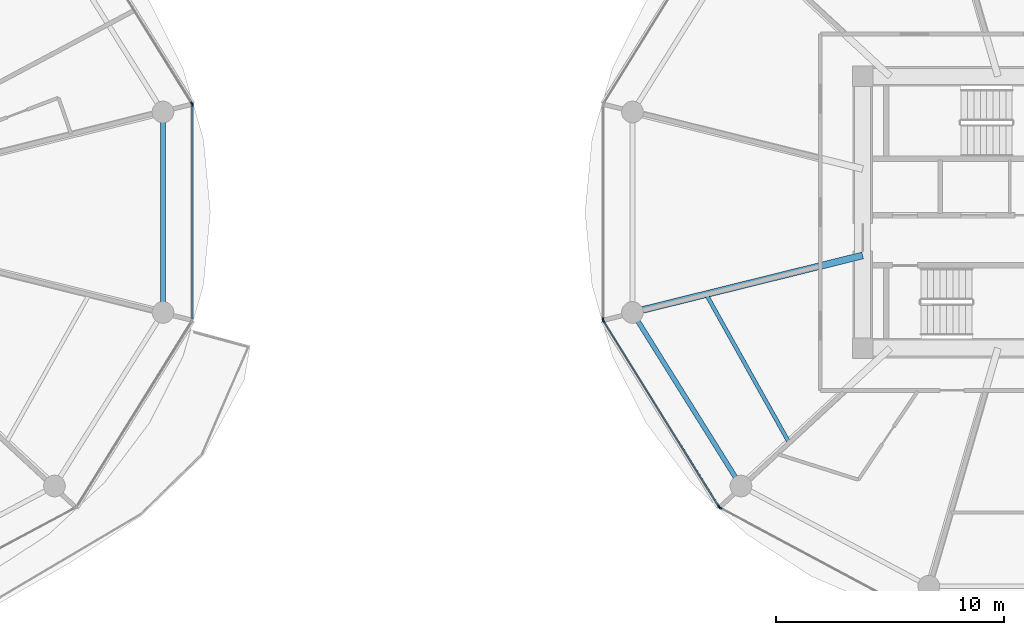
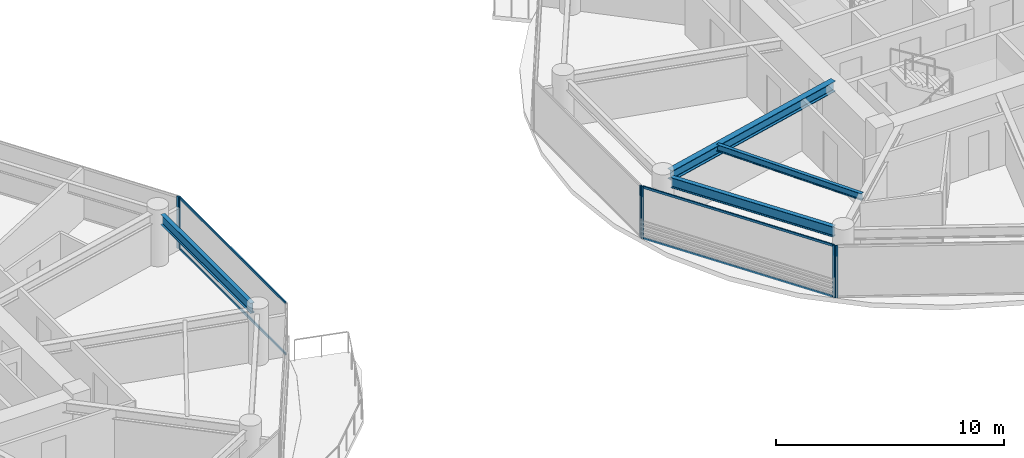
# One storey, part 6 of 26: 10 members, 4 beams, 5 elements without a shape of their own.
"""IFC4 building model written with IfcOpenShell, lengths in metres."""

from ifc_helpers import new_model, si_unit, direction, frame, origin, origin_2d, place, context, subcontext, project, spatial, rectangle, i_section, extrude, source, transform, mapped, material, layer, layer_set, material_profile, profile_set, type_object, type_shapes, element, aggregate, save


model = new_model("IFC4")

# Units and contexts
model_context = context("Model", 3, precision=1e-05, world=origin(), true_north=direction((0.0, 1.0)))
body_context = subcontext(model_context, "Body", "Model", "MODEL_VIEW")
ifc_project = project(units=[si_unit("LENGTHUNIT", "METRE"), si_unit("AREAUNIT", "SQUARE_METRE"), si_unit("VOLUMEUNIT", "CUBIC_METRE"), si_unit("PLANEANGLEUNIT", "RADIAN"), si_unit("MASSUNIT", "GRAM", prefix="KILO")], contexts=[model_context])

# Site, building, storey
site_placement = place(None, origin())
site = spatial("IfcSite", under=ifc_project, at=site_placement, CompositionType="ELEMENT")
building_placement = place(site_placement, origin())
building = spatial("IfcBuilding", under=site, at=building_placement, Name="Norrkilde Senior Care Towers", CompositionType="ELEMENT")
storey_placement = place(building_placement, frame((0.0, 0.0, 49.050048828125)))
storey = spatial("IfcBuildingStorey", under=building, at=storey_placement, Name="L14", CompositionType="ELEMENT", Elevation=49.050048828125)

# Beams
ifc_material_1 = material(Name="Steel S355", Category="steel")
ifc_material_profile_1 = material_profile(ifc_material_1, i_section(OverallWidth=0.2099609375, OverallDepth=0.550048828125, WebThickness=0.010986328125, FlangeThickness=0.01708984375, FilletRadius=0.02392578125, at=origin_2d()), Name="IPE 550")
ifc_profile_set_1 = profile_set([ifc_material_profile_1], Name="Steel S355")
beam_type_1 = type_object("IfcBeamType", Name="Perimeter Ring Spandrel Z1 IPE550", PredefinedType="SPANDREL", material=ifc_profile_set_1)
shared_shape_1 = source(origin(), body_context, "Body", "SweptSolid", [
    extrude(i_section(OverallWidth=0.2099609375, OverallDepth=0.550048828125, WebThickness=0.010986328125, FlangeThickness=0.01708984375, FilletRadius=0.02392578125, at=origin_2d()), origin(), (0.0, 0.0, 1.0), 8.090576171875),
])
beam_1_placement = place(storey_placement, frame((10.505859375, -4.755859375, 2.514892578125), z_axis=(0.530004364821, -0.84799491347, 0.0), x_axis=(0.84799491347, 0.530004364821, 0.0)))
element("IfcBeam", 1, at=beam_1_placement, inside=storey, type_object=beam_type_1, Name="L14 Drum E Perimeter Spandrel 07", PredefinedType="SPANDREL", context=body_context, shape_type="MappedRepresentation", body=[
    mapped(shared_shape_1, transform((0.0, 0.0, 0.0), x_axis=(1.0, 0.0, 0.0), y_axis=(0.0, 1.0, 0.0), z_axis=(0.0, 0.0, 1.0), scale=1.0)),
])
ifc_material_profile_2 = material_profile(ifc_material_1, i_section(OverallWidth=0.300048828125, OverallDepth=0.550048828125, WebThickness=0.014892578125, FlangeThickness=0.029052734375, FilletRadius=0.027099609375, at=origin_2d()), Name="HEB 550")
ifc_profile_set_2 = profile_set([ifc_material_profile_2], Name="Steel S355")
beam_type_2 = type_object("IfcBeamType", Name="Radial Floor Beam Z1 HEB550", PredefinedType="BEAM", material=ifc_profile_set_2)
shared_shape_2 = source(origin(), body_context, "Body", "SweptSolid", [
    extrude(i_section(OverallWidth=0.300048828125, OverallDepth=0.550048828125, WebThickness=0.014892578125, FlangeThickness=0.029052734375, FilletRadius=0.027099609375, at=origin_2d()), origin(), (0.0, 0.0, 1.0), 9.94384765625),
])
type_shapes(beam_type_2, [shared_shape_2])
beam_2_placement = place(storey_placement, frame((20.35009765625, -1.893310546875, 2.514892578125), z_axis=(-0.970707425182, -0.240264634718, 0.0), x_axis=(0.240264634718, -0.970707425182, 0.0)))
element("IfcBeam", 2, at=beam_2_placement, inside=storey, type_object=beam_type_2, Name="L14 Drum E Radial Floor Beam 07", PredefinedType="BEAM", context=body_context, shape_type="MappedRepresentation", body=[
    mapped(shared_shape_2, transform((0.0, 0.0, 0.0), x_axis=(1.0, 0.0, 0.0), y_axis=(0.0, 1.0, 0.0), z_axis=(0.0, 0.0, 1.0), scale=1.0)),
])
shared_shape_3 = source(origin(), body_context, "Body", "SweptSolid", [
    extrude(i_section(OverallWidth=0.2099609375, OverallDepth=0.550048828125, WebThickness=0.010986328125, FlangeThickness=0.01708984375, FilletRadius=0.02392578125, at=origin_2d()), origin(), (0.0, 0.0, 1.0), 7.90380859375),
])
type_shapes(beam_type_1, [shared_shape_1, shared_shape_3])
beam_3_placement = place(storey_placement, frame((-10.275146484375, -3.951904296875, 2.514892578125), z_axis=(0.0, 1.0, 0.0), x_axis=(-1.0, 0.0, 0.0)))
element("IfcBeam", 3, at=beam_3_placement, inside=storey, type_object=beam_type_1, Name="L14 Drum W Perimeter Spandrel 12", PredefinedType="SPANDREL", context=body_context, shape_type="MappedRepresentation", body=[
    mapped(shared_shape_3, transform((0.0, 0.0, 0.0), x_axis=(1.0, 0.0, 0.0), y_axis=(0.0, 1.0, 0.0), z_axis=(0.0, 0.0, 1.0), scale=1.0)),
])
ifc_material_profile_3 = material_profile(ifc_material_1, i_section(OverallWidth=0.169921875, OverallDepth=0.360107421875, WebThickness=0.008056640625, FlangeThickness=0.0126953125, FilletRadius=0.01806640625, at=origin_2d()), Name="IPE 360")
ifc_profile_set_3 = profile_set([ifc_material_profile_3], Name="Steel S355")
beam_type_3 = type_object("IfcBeamType", Name="Secondary Floor Joist IPE360", PredefinedType="JOIST", material=ifc_profile_set_3)
shared_shape_4 = source(origin(), body_context, "Body", "SweptSolid", [
    extrude(i_section(OverallWidth=0.169921875, OverallDepth=0.360107421875, WebThickness=0.008056640625, FlangeThickness=0.0126953125, FilletRadius=0.01806640625, at=origin_2d()), origin(), (0.0, 0.0, 1.0), 7.40771484375),
])
type_shapes(beam_type_3, [shared_shape_4])
beam_4_placement = place(storey_placement, frame((13.499267578125, -3.589111328125, 2.60986328125), z_axis=(0.488167754092, -0.872749817453, 0.0), x_axis=(0.872749817453, 0.488167754092, 0.0)))
element("IfcBeam", 4, at=beam_4_placement, inside=storey, type_object=beam_type_3, Name="L14 Drum E Secondary Floor Joist 3", PredefinedType="JOIST", context=body_context, shape_type="MappedRepresentation", body=[
    mapped(shared_shape_4, transform((0.0, 0.0, 0.0), x_axis=(1.0, 0.0, 0.0), y_axis=(0.0, 1.0, 0.0), z_axis=(0.0, 0.0, 1.0), scale=1.0)),
])

# Curtain wall, member
ifc_material_2 = material(Name="Triple Low-E Insulated Glazing", Category="glass")
ifc_layer = layer(ifc_material_2, 0.199951171875)
ifc_layer_set = layer_set([ifc_layer], Name="Triple Low-E Insulated Glazing")
curtain_wall_type = type_object("IfcCurtainWallType", Name="CW2 Zone 1 Memory Care Curtain Wall", PredefinedType="NOTDEFINED", material=ifc_layer_set)
curtain_wall_1_placement = place(storey_placement, origin())
curtain_wall_1 = element("IfcCurtainWall", 5, at=curtain_wall_1_placement, inside=storey, type_object=curtain_wall_type, Name="L14 Drum W Curtain Wall 00", PredefinedType="NOTDEFINED")
ifc_material_3 = material(Name="Anodised Aluminium", Category="aluminium")
ifc_material_profile_4 = material_profile(ifc_material_3, rectangle(XDim=0.06494140625, YDim=0.159912109375, at=origin_2d()), Name="ALU MULL 65x160")
ifc_profile_set_4 = profile_set([ifc_material_profile_4], Name="Anodised Aluminium")
member_type_1 = type_object("IfcMemberType", Name="Curtain Wall Mullion Z1-Z2 65x160", PredefinedType="MULLION", material=ifc_profile_set_4)
shared_shape_5 = source(origin(), body_context, "Body", "SweptSolid", [
    extrude(rectangle(XDim=0.06494140625, YDim=0.159912109375, at=origin_2d()), origin(), (0.0, 0.0, 1.0), 2.7900390625),
])
type_shapes(member_type_1, [shared_shape_5])
member_1_placement = place(storey_placement, frame((-9.0078125, 4.7587890625, 0.0), z_axis=(0.0, 0.0, 1.0), x_axis=(0.849305943117, 0.527900951871, 0.0)))
member_1 = element("IfcMember", 6, at=member_1_placement, type_object=member_type_1, Name="CW-2 mullion 2", PredefinedType="MULLION", context=body_context, shape_type="MappedRepresentation", body=[
    mapped(shared_shape_5, transform((0.0, 0.0, 0.0), x_axis=(1.0, 0.0, 0.0), y_axis=(0.0, 1.0, 0.0), z_axis=(0.0, 0.0, 1.0), scale=1.0)),
])
aggregate(curtain_wall_1, [member_1])

curtain_wall_2_placement = place(storey_placement, origin())
curtain_wall_2 = element("IfcCurtainWall", 7, at=curtain_wall_2_placement, inside=storey, type_object=curtain_wall_type, Name="L14 Drum W Curtain Wall 11", PredefinedType="NOTDEFINED")
member_2_placement = place(storey_placement, frame((-8.990478515625, 4.69873046875, 0.0), z_axis=(0.0, 0.0, 1.0), x_axis=(1.0, 0.0, 0.0)))
member_2 = element("IfcMember", 8, at=member_2_placement, type_object=member_type_1, Name="CW-2 mullion 1", PredefinedType="MULLION", context=body_context, shape_type="MappedRepresentation", body=[
    mapped(shared_shape_5, transform((0.0, 0.0, 0.0), x_axis=(1.0, 0.0, 0.0), y_axis=(0.0, 1.0, 0.0), z_axis=(0.0, 0.0, 1.0), scale=1.0)),
])

curtain_wall_3_placement = place(storey_placement, origin())
curtain_wall_3 = element("IfcCurtainWall", 9, at=curtain_wall_3_placement, inside=storey, type_object=curtain_wall_type, Name="L14 Drum E Curtain Wall 05", PredefinedType="NOTDEFINED")
member_3_placement = place(storey_placement, frame((8.990478515625, -4.69873046875, 0.0), z_axis=(0.0, 0.0, 1.0), x_axis=(-1.0, 0.0, 0.0)))
member_3 = element("IfcMember", 10, at=member_3_placement, type_object=member_type_1, Name="CW-2 mullion 1", PredefinedType="MULLION", context=body_context, shape_type="MappedRepresentation", body=[
    mapped(shared_shape_5, transform((0.0, 0.0, 0.0), x_axis=(1.0, 0.0, 0.0), y_axis=(0.0, 1.0, 0.0), z_axis=(0.0, 0.0, 1.0), scale=1.0)),
])
aggregate(curtain_wall_3, [member_3])

# Curtain wall, members
curtain_wall_4_placement = place(storey_placement, origin())
curtain_wall_4 = element("IfcCurtainWall", 11, at=curtain_wall_4_placement, inside=storey, type_object=curtain_wall_type, Name="L14 Drum E Curtain Wall 06", PredefinedType="NOTDEFINED")
member_4_placement = place(storey_placement, frame((14.06689453125, -12.898193359375, 0.0), z_axis=(0.0, 0.0, 1.0), x_axis=(-0.849305943117, -0.527900951871, 0.0)))
member_4 = element("IfcMember", 12, at=member_4_placement, type_object=member_type_1, Name="CW-2 mullion 1", PredefinedType="MULLION", context=body_context, shape_type="MappedRepresentation", body=[
    mapped(shared_shape_5, transform((0.0, 0.0, 0.0), x_axis=(1.0, 0.0, 0.0), y_axis=(0.0, 1.0, 0.0), z_axis=(0.0, 0.0, 1.0), scale=1.0)),
])
member_5_placement = place(storey_placement, frame((9.0078125, -4.7587890625, 0.0), z_axis=(0.0, 0.0, 1.0), x_axis=(-0.849305943117, -0.527900951871, 0.0)))
member_5 = element("IfcMember", 13, at=member_5_placement, type_object=member_type_1, Name="CW-2 mullion 2", PredefinedType="MULLION", context=body_context, shape_type="MappedRepresentation", body=[
    mapped(shared_shape_5, transform((0.0, 0.0, 0.0), x_axis=(1.0, 0.0, 0.0), y_axis=(0.0, 1.0, 0.0), z_axis=(0.0, 0.0, 1.0), scale=1.0)),
])

# Curtain wall, member
curtain_wall_5_placement = place(storey_placement, origin())
curtain_wall_5 = element("IfcCurtainWall", 14, at=curtain_wall_5_placement, inside=storey, type_object=curtain_wall_type, Name="L14 Drum E Curtain Wall 07", PredefinedType="NOTDEFINED")
member_6_placement = place(storey_placement, frame((14.11279296875, -12.941162109375, 0.0), z_axis=(0.0, 0.0, 1.0), x_axis=(-0.472607802456, -0.881272866403, 0.0)))
member_6 = element("IfcMember", 15, at=member_6_placement, type_object=member_type_1, Name="CW-2 mullion 2", PredefinedType="MULLION", context=body_context, shape_type="MappedRepresentation", body=[
    mapped(shared_shape_5, transform((0.0, 0.0, 0.0), x_axis=(1.0, 0.0, 0.0), y_axis=(0.0, 1.0, 0.0), z_axis=(0.0, 0.0, 1.0), scale=1.0)),
])
aggregate(curtain_wall_5, [member_6])

# Member
ifc_material_profile_5 = material_profile(ifc_material_3, rectangle(XDim=0.06005859375, YDim=0.1201171875, at=origin_2d()), Name="ALU TRAN 60x120")
ifc_profile_set_5 = profile_set([ifc_material_profile_5], Name="Anodised Aluminium")
member_type_2 = type_object("IfcMemberType", Name="Curtain Wall Transom Typical 60x120", PredefinedType="USERDEFINED", material=ifc_profile_set_5)
shared_shape_6 = source(origin(), body_context, "Body", "SweptSolid", [
    extrude(rectangle(XDim=0.06005859375, YDim=0.1201171875, at=origin_2d()), origin(), (0.0, 0.0, 1.0), 9.5185546875),
])
member_7_placement = place(storey_placement, frame((14.0498046875, -12.87060546875, 0.030029296875), z_axis=(-0.527901620669, 0.849305527413, 0.0), x_axis=(-0.849305527413, -0.527901620669, 0.0)))
member_7 = element("IfcMember", 16, at=member_7_placement, type_object=member_type_2, Name="CW-2 transom 1.1", ObjectType="TRANSOM", PredefinedType="USERDEFINED", context=body_context, shape_type="MappedRepresentation", body=[
    mapped(shared_shape_6, transform((0.0, 0.0, 0.0), x_axis=(1.0, 0.0, 0.0), y_axis=(0.0, 1.0, 0.0), z_axis=(0.0, 0.0, 1.0), scale=1.0)),
])

member_8_placement = place(storey_placement, frame((14.0498046875, -12.87060546875, 2.760009765625), z_axis=(-0.527901620669, 0.849305527413, 0.0), x_axis=(-0.849305527413, -0.527901620669, 0.0)))
member_8 = element("IfcMember", 17, at=member_8_placement, type_object=member_type_2, Name="CW-2 transom 1.2", ObjectType="TRANSOM", PredefinedType="USERDEFINED", context=body_context, shape_type="MappedRepresentation", body=[
    mapped(shared_shape_6, transform((0.0, 0.0, 0.0), x_axis=(1.0, 0.0, 0.0), y_axis=(0.0, 1.0, 0.0), z_axis=(0.0, 0.0, 1.0), scale=1.0)),
])

aggregate(curtain_wall_4, [member_4, member_5, member_7, member_8])

shared_shape_7 = source(origin(), body_context, "Body", "SweptSolid", [
    extrude(rectangle(XDim=0.06005859375, YDim=0.1201171875, at=origin_2d()), origin(), (0.0, 0.0, 1.0), 9.33251953125),
])
type_shapes(member_type_2, [shared_shape_6, shared_shape_7])
member_9_placement = place(storey_placement, frame((-8.990478515625, 4.666259765625, 0.030029296875), z_axis=(0.0, -1.0, 0.0), x_axis=(1.0, 0.0, 0.0)))
member_9 = element("IfcMember", 18, at=member_9_placement, type_object=member_type_2, Name="CW-2 transom 1.1", ObjectType="TRANSOM", PredefinedType="USERDEFINED", context=body_context, shape_type="MappedRepresentation", body=[
    mapped(shared_shape_7, transform((0.0, 0.0, 0.0), x_axis=(1.0, 0.0, 0.0), y_axis=(0.0, 1.0, 0.0), z_axis=(0.0, 0.0, 1.0), scale=1.0)),
])

member_10_placement = place(storey_placement, frame((-8.990478515625, 4.666259765625, 2.760009765625), z_axis=(0.0, -1.0, 0.0), x_axis=(1.0, 0.0, 0.0)))
member_10 = element("IfcMember", 19, at=member_10_placement, type_object=member_type_2, Name="CW-2 transom 1.2", ObjectType="TRANSOM", PredefinedType="USERDEFINED", context=body_context, shape_type="MappedRepresentation", body=[
    mapped(shared_shape_7, transform((0.0, 0.0, 0.0), x_axis=(1.0, 0.0, 0.0), y_axis=(0.0, 1.0, 0.0), z_axis=(0.0, 0.0, 1.0), scale=1.0)),
])

aggregate(curtain_wall_2, [member_2, member_9, member_10])

save(model, "model.ifc")
